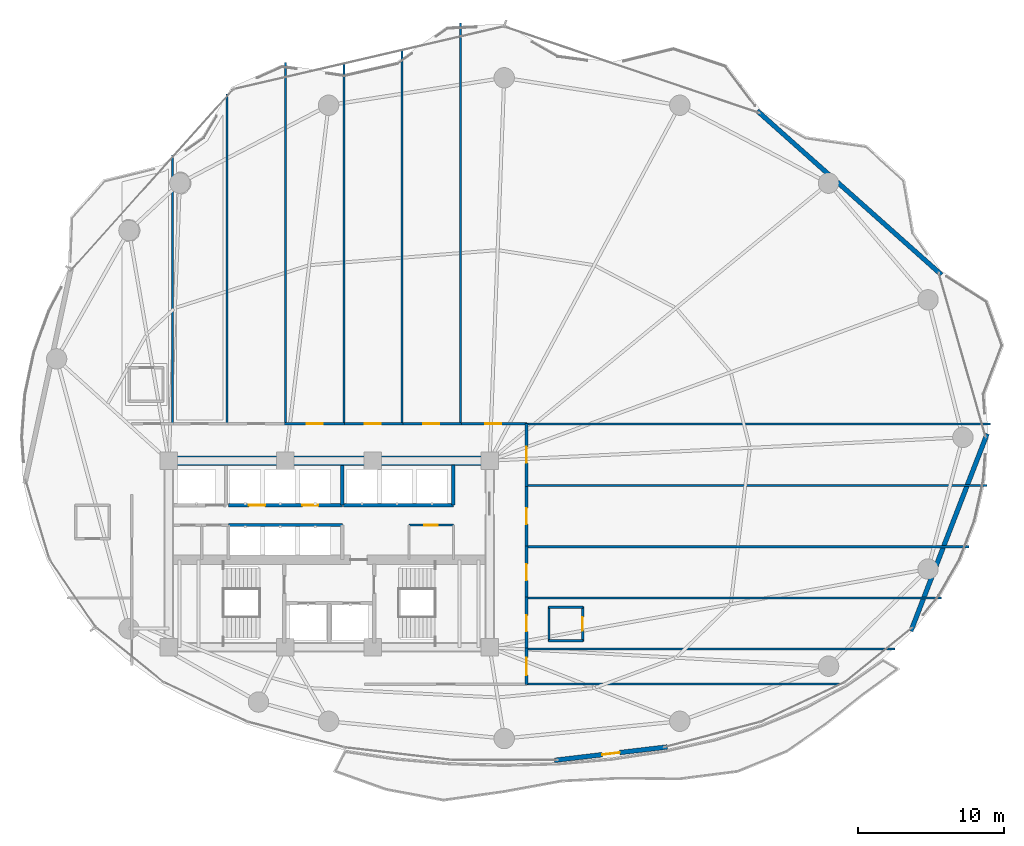
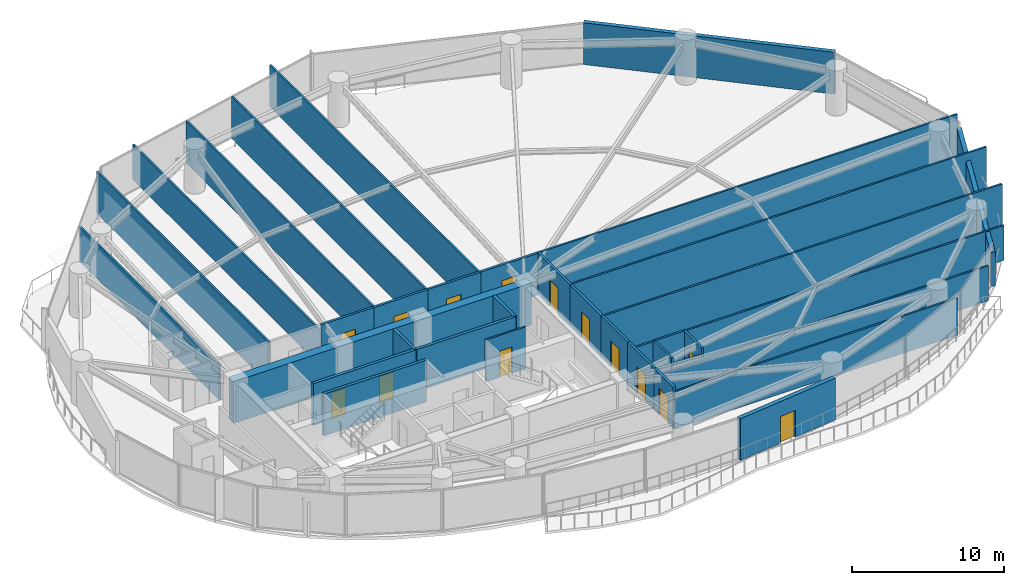
# One storey, part 27 of 31: 35 walls, 14 doors, 14 openings.
"""IFC4 building model written with IfcOpenShell, lengths in metres."""

from ifc_helpers import new_model, si_unit, direction, frame, frame_2d, origin, place, context, subcontext, project, spatial, rectangle, extrude, material, layer, layer_set, type_object, element, fill, save


model = new_model("IFC4")

# Units and contexts
model_context = context("Model", 3, precision=1e-05, world=origin(), true_north=direction((0.0, 1.0)))
body_context = subcontext(model_context, "Body", "Model", "MODEL_VIEW")
ifc_project = project(units=[si_unit("LENGTHUNIT", "METRE"), si_unit("AREAUNIT", "SQUARE_METRE"), si_unit("VOLUMEUNIT", "CUBIC_METRE"), si_unit("PLANEANGLEUNIT", "RADIAN"), si_unit("MASSUNIT", "GRAM", prefix="KILO")], contexts=[model_context])

# Site, building, storey
site_placement = place(None, origin())
site = spatial("IfcSite", under=ifc_project, at=site_placement, CompositionType="ELEMENT")
building_placement = place(site_placement, origin())
building = spatial("IfcBuilding", under=site, at=building_placement, Name="Kazevale Care Tower and Concert Hall", CompositionType="ELEMENT")
storey_placement = place(building_placement, frame((0.0, 0.0, 78.0)))
storey = spatial("IfcBuildingStorey", under=building, at=storey_placement, Name="L20", CompositionType="ELEMENT", Elevation=78.0)

# Wall, opening, door
ifc_material_1 = material(Name="Acoustic Gypsum on Steel Stud", Category="steel")
ifc_layer_1 = layer(ifc_material_1, 0.139892578125)
ifc_layer_set_1 = layer_set([ifc_layer_1], Name="Acoustic Gypsum on Steel Stud")
wall_type_1 = type_object("IfcWallType", Name="Acoustic Care & Suite Partition 140", PredefinedType="PARTITIONING", material=ifc_layer_set_1)
wall_1_placement = place(storey_placement, frame((38.47998046875, 31.97998046875, 0.0), z_axis=(0.0, 0.0, 1.0), x_axis=(1.0, 0.0, 0.0)))
wall_1 = element("IfcWall", 1, at=wall_1_placement, inside=storey, type_object=wall_type_1, Name="wall:L20:kb_en", PredefinedType="PARTITIONING", context=body_context, shape_type="SweptSolid", body=[
    extrude(rectangle(XDim=3.0400390625, YDim=0.139892578125, at=frame_2d((1.52001953125, 0.0))), origin(), (0.0, 0.0, 1.0), 3.360107421875),
])
opening_1_placement = place(wall_1_placement, frame((1.044921875, 0.0, 0.0)))
opening_1 = element("IfcOpeningElement", 2, at=opening_1_placement, cuts=wall_1, Name="Opening ID-900", PredefinedType="OPENING", context=body_context, shape_type="SweptSolid", body=[
    extrude(rectangle(XDim=0.919921875, YDim=2.10009765625, at=frame_2d((0.4599609375, 1.050048828125))), frame((0.0, 0.079833984375, 0.0), z_axis=(0.0, -1.0, 0.0), x_axis=(1.0, 0.0, 0.0)), (0.0, 0.0, 1.0), 0.159912109375),
])
ifc_material_2 = material(Name="Oak Timber Fire Leaf", Category="wood")
door_type_1 = type_object("IfcDoorType", Name="Bathroom & Service Door 920x2100", OperationType="NOTDEFINED", PredefinedType="DOOR", material=ifc_material_2)
door_1_placement = place(opening_1_placement, origin())
door_1 = element("IfcDoor", 3, at=door_1_placement, inside=storey, type_object=door_type_1, Name="door:L20:d_kbe", OperationType="SINGLE_SWING_LEFT", OverallHeight=2.10009765625, OverallWidth=0.919921875, PredefinedType="DOOR", context=body_context, shape_type="SweptSolid", body=[
    extrude(rectangle(XDim=0.919921875, YDim=2.10009765625, at=frame_2d((0.4599609375, 1.050048828125))), frame((0.0, 0.02490234375, 0.0), z_axis=(0.0, -1.0, 0.0), x_axis=(1.0, 0.0, 0.0)), (0.0, 0.0, 1.0), 0.050048828125),
])
fill(opening_1, door_1)

# Walls
wall_2_placement = place(storey_placement, frame((22.25, 57.343017578125, 0.0), z_axis=(0.0, 0.0, 1.0), x_axis=(0.0, -1.0, 0.0)))
element("IfcWall", 4, at=wall_2_placement, inside=storey, type_object=wall_type_1, Name="wall:L20:auto_016", PredefinedType="PARTITIONING", context=body_context, shape_type="SweptSolid", body=[
    extrude(rectangle(XDim=18.447998046875, YDim=0.139892578125, at=frame_2d((9.22412109375, 0.0))), origin(), (0.0, 0.0, 1.0), 2.805908203125),
])
wall_3_placement = place(storey_placement, frame((26.0, 61.529052734375, 0.0), z_axis=(0.0, 0.0, 1.0), x_axis=(0.0, -1.0, 0.0)))
element("IfcWall", 5, at=wall_3_placement, inside=storey, type_object=wall_type_1, Name="wall:L20:auto_017", PredefinedType="PARTITIONING", context=body_context, shape_type="SweptSolid", body=[
    extrude(rectangle(XDim=22.634033203125, YDim=0.139892578125, at=frame_2d((11.31689453125, 0.0))), origin(), (0.0, 0.0, 1.0), 3.360107421875),
])
wall_4_placement = place(storey_placement, frame((30.0, 63.7041015625, 0.0), z_axis=(0.0, 0.0, 1.0), x_axis=(0.0, -1.0, 0.0)))
element("IfcWall", 6, at=wall_4_placement, inside=storey, type_object=wall_type_1, Name="wall:L20:auto_018", PredefinedType="PARTITIONING", context=body_context, shape_type="SweptSolid", body=[
    extrude(rectangle(XDim=24.80908203125, YDim=0.139892578125, at=frame_2d((12.404541015625, 0.0))), origin(), (0.0, 0.0, 1.0), 2.805908203125),
])
wall_5_placement = place(storey_placement, frame((34.0, 63.61279296875, 0.0), z_axis=(0.0, 0.0, 1.0), x_axis=(0.0, -1.0, 0.0)))
element("IfcWall", 7, at=wall_5_placement, inside=storey, type_object=wall_type_1, Name="wall:L20:auto_019", PredefinedType="PARTITIONING", context=body_context, shape_type="SweptSolid", body=[
    extrude(rectangle(XDim=24.7177734375, YDim=0.139892578125, at=frame_2d((12.35888671875, 0.0))), origin(), (0.0, 0.0, 1.0), 3.360107421875),
])
wall_6_placement = place(storey_placement, frame((38.0, 64.5419921875, 0.0), z_axis=(0.0, 0.0, 1.0), x_axis=(0.0, -1.0, 0.0)))
element("IfcWall", 8, at=wall_6_placement, inside=storey, type_object=wall_type_1, Name="wall:L20:auto_020", PredefinedType="PARTITIONING", context=body_context, shape_type="SweptSolid", body=[
    extrude(rectangle(XDim=25.64697265625, YDim=0.139892578125, at=frame_2d((12.823486328125, 0.0))), origin(), (0.0, 0.0, 1.0), 3.360107421875),
])
wall_7_placement = place(storey_placement, frame((42.0, 66.4140625, 0.0), z_axis=(0.0, 0.0, 1.0), x_axis=(0.0, -1.0, 0.0)))
element("IfcWall", 9, at=wall_7_placement, inside=storey, type_object=wall_type_1, Name="wall:L20:auto_021", PredefinedType="PARTITIONING", context=body_context, shape_type="SweptSolid", body=[
    extrude(rectangle(XDim=27.51904296875, YDim=0.139892578125, at=frame_2d((13.759521484375, 0.0))), origin(), (0.0, 0.0, 1.0), 3.360107421875),
])
wall_8_placement = place(storey_placement, frame((78.333984375, 38.925048828125, 0.0), z_axis=(0.0, 0.0, 1.0), x_axis=(-1.0, 0.0, 0.0)))
element("IfcWall", 10, at=wall_8_placement, inside=storey, type_object=wall_type_1, Name="wall:L20:auto_022", PredefinedType="PARTITIONING", context=body_context, shape_type="SweptSolid", body=[
    extrude(rectangle(XDim=31.8740234375, YDim=0.139892578125, at=frame_2d((15.93701171875, 0.0))), origin(), (0.0, 0.0, 1.0), 3.360107421875),
])
wall_9_placement = place(storey_placement, frame((46.4951171875, 23.5, 0.0), z_axis=(0.0, 0.0, 1.0), x_axis=(1.0, 0.0, 0.0)))
element("IfcWall", 11, at=wall_9_placement, inside=storey, type_object=wall_type_1, Name="wall:L20:auto_023", PredefinedType="PARTITIONING", context=body_context, shape_type="SweptSolid", body=[
    extrude(rectangle(XDim=25.2998046875, YDim=0.139892578125, at=frame_2d((12.64990234375, 0.0))), origin(), (0.0, 0.0, 1.0), 2.805908203125),
])
wall_10_placement = place(storey_placement, frame((68.049072265625, 21.074951171875, 0.0), z_axis=(0.0, 0.0, 1.0), x_axis=(-1.0, 0.0, 0.0)))
element("IfcWall", 12, at=wall_10_placement, inside=storey, type_object=wall_type_1, Name="wall:L20:auto_024", PredefinedType="PARTITIONING", context=body_context, shape_type="SweptSolid", body=[
    extrude(rectangle(XDim=21.553955078125, YDim=0.139892578125, at=frame_2d((10.77685546875, 0.0))), origin(), (0.0, 0.0, 1.0), 2.99609375),
])
wall_11_placement = place(storey_placement, frame((46.4951171875, 27.0, 0.0), z_axis=(0.0, 0.0, 1.0), x_axis=(1.0, 0.0, 0.0)))
element("IfcWall", 13, at=wall_11_placement, inside=storey, type_object=wall_type_1, Name="wall:L20:auto_025", PredefinedType="PARTITIONING", context=body_context, shape_type="SweptSolid", body=[
    extrude(rectangle(XDim=28.498779296875, YDim=0.139892578125, at=frame_2d((14.24951171875, 0.0))), origin(), (0.0, 0.0, 1.0), 2.805908203125),
])
wall_12_placement = place(storey_placement, frame((46.4951171875, 30.5, 0.0), z_axis=(0.0, 0.0, 1.0), x_axis=(1.0, 0.0, 0.0)))
element("IfcWall", 14, at=wall_12_placement, inside=storey, type_object=wall_type_1, Name="wall:L20:auto_026", PredefinedType="PARTITIONING", context=body_context, shape_type="SweptSolid", body=[
    extrude(rectangle(XDim=30.390869140625, YDim=0.139892578125, at=frame_2d((15.1953125, 0.0))), origin(), (0.0, 0.0, 1.0), 3.360107421875),
])
wall_13_placement = place(storey_placement, frame((46.4951171875, 34.7099609375, 0.0), z_axis=(0.0, 0.0, 1.0), x_axis=(1.0, 0.0, 0.0)))
element("IfcWall", 15, at=wall_13_placement, inside=storey, type_object=wall_type_1, Name="wall:L20:auto_027", PredefinedType="PARTITIONING", context=body_context, shape_type="SweptSolid", body=[
    extrude(rectangle(XDim=31.61376953125, YDim=0.139892578125, at=frame_2d((15.806884765625, 0.0))), origin(), (0.0, 0.0, 1.0), 3.360107421875),
])
ifc_material_3 = material(Name="Concrete C70", Category="concrete")
ifc_layer_2 = layer(ifc_material_3, 0.64990234375)
ifc_layer_set_2 = layer_set([ifc_layer_2], Name="Concrete C70")
wall_type_2 = type_object("IfcWallType", Name="Core Shear Wall 650 C70", PredefinedType="SHEAR", material=ifc_layer_set_2)
wall_14_placement = place(storey_placement, frame((21.675048828125, 36.39990234375, 0.0), z_axis=(0.0, 0.0, 1.0), x_axis=(1.0, 0.0, 0.0)))
element("IfcWall", 16, at=wall_14_placement, inside=storey, type_object=wall_type_2, Name="wall:L20:core:N", PredefinedType="SHEAR", context=body_context, shape_type="SweptSolid", body=[
    extrude(rectangle(XDim=22.64990234375, YDim=0.64990234375, at=frame_2d((11.324951171875, 0.0))), origin(), (0.0, 0.0, 1.0), 3.360107421875),
])
ifc_material_4 = material(Name="Concrete C40", Category="concrete")
ifc_layer_3 = layer(ifc_material_4, 0.219970703125)
ifc_layer_set_3 = layer_set([ifc_layer_3], Name="Concrete C40")
wall_type_3 = type_object("IfcWallType", Name="Elevator Hoistway Shaft Wall 220", PredefinedType="SOLIDWALL", material=ifc_layer_set_3)
wall_15_placement = place(storey_placement, frame((26.10009765625, 31.97998046875, 0.0), z_axis=(0.0, 0.0, 1.0), x_axis=(1.0, 0.0, 0.0)))
element("IfcWall", 17, at=wall_15_placement, inside=storey, type_object=wall_type_3, Name="wall:L20:c_ph_n", PredefinedType="SOLIDWALL", context=body_context, shape_type="SweptSolid", body=[
    extrude(rectangle(XDim=7.7998046875, YDim=0.219970703125, at=frame_2d((3.89990234375, 0.0))), origin(), (0.0, 0.0, 1.0), 3.360107421875),
])

# Wall, openings, doors
wall_16_placement = place(storey_placement, frame((26.10009765625, 33.35009765625, 0.0), z_axis=(0.0, 0.0, 1.0), x_axis=(1.0, 0.0, 0.0)))
wall_16 = element("IfcWall", 18, at=wall_16_placement, inside=storey, type_object=wall_type_3, Name="wall:L20:c_pl_s", PredefinedType="SOLIDWALL", context=body_context, shape_type="SweptSolid", body=[
    extrude(rectangle(XDim=7.7998046875, YDim=0.219970703125, at=frame_2d((3.89990234375, 0.0))), origin(), (0.0, 0.0, 1.0), 3.360107421875),
])
opening_2_placement = place(wall_16_placement, frame((1.39990234375, 0.0, 0.0)))
opening_2 = element("IfcOpeningElement", 19, at=opening_2_placement, cuts=wall_16, Name="Opening LD-PAX", PredefinedType="OPENING", context=body_context, shape_type="SweptSolid", body=[
    extrude(rectangle(XDim=1.10009765625, YDim=2.10009765625, at=frame_2d((0.550048828125, 1.050048828125))), frame((0.0, 0.119873046875, 0.0), z_axis=(0.0, -1.0, 0.0), x_axis=(1.0, 0.0, 0.0)), (0.0, 0.0, 1.0), 0.239990234375),
])
opening_3_placement = place(wall_16_placement, frame((5.06591796875, 0.0, 0.0)))
opening_3 = element("IfcOpeningElement", 20, at=opening_3_placement, cuts=wall_16, Name="Opening LD-PAX", PredefinedType="OPENING", context=body_context, shape_type="SweptSolid", body=[
    extrude(rectangle(XDim=1.10009765625, YDim=2.10009765625, at=frame_2d((0.550048828125, 1.050048828125))), frame((0.0, 0.119873046875, 0.0), z_axis=(0.0, -1.0, 0.0), x_axis=(1.0, 0.0, 0.0)), (0.0, 0.0, 1.0), 0.239990234375),
])
ifc_material_5 = material(Name="Stainless Steel 316", Category="steel")
door_type_2 = type_object("IfcDoorType", Name="Passenger Lift Sliding Landing Door 1100x2100", OperationType="NOTDEFINED", PredefinedType="DOOR", material=ifc_material_5)
door_2_placement = place(opening_2_placement, origin())
door_2 = element("IfcDoor", 21, at=door_2_placement, inside=storey, type_object=door_type_2, Name="door:L20:ld_pl1", OperationType="SLIDING_TO_LEFT", OverallHeight=2.10009765625, OverallWidth=1.10009765625, PredefinedType="DOOR", context=body_context, shape_type="SweptSolid", body=[
    extrude(rectangle(XDim=1.10009765625, YDim=2.10009765625, at=frame_2d((0.550048828125, 1.050048828125))), frame((0.0, 0.02490234375, 0.0), z_axis=(0.0, -1.0, 0.0), x_axis=(1.0, 0.0, 0.0)), (0.0, 0.0, 1.0), 0.050048828125),
])
fill(opening_2, door_2)
door_3_placement = place(opening_3_placement, origin())
door_3 = element("IfcDoor", 22, at=door_3_placement, inside=storey, type_object=door_type_2, Name="door:L20:ld_pl2", OperationType="SLIDING_TO_RIGHT", OverallHeight=2.10009765625, OverallWidth=1.10009765625, PredefinedType="DOOR", context=body_context, shape_type="SweptSolid", body=[
    extrude(rectangle(XDim=1.10009765625, YDim=2.10009765625, at=frame_2d((0.550048828125, 1.050048828125))), frame((0.0, 0.02490234375, 0.0), z_axis=(0.0, -1.0, 0.0), x_axis=(1.0, 0.0, 0.0)), (0.0, 0.0, 1.0), 0.050048828125),
])
fill(opening_3, door_3)

# Walls
wall_17_placement = place(storey_placement, frame((33.89990234375, 33.35009765625, 0.0), z_axis=(0.0, 0.0, 1.0), x_axis=(0.0, 1.0, 0.0)))
element("IfcWall", 23, at=wall_17_placement, inside=storey, type_object=wall_type_3, Name="wall:L20:c_pl_e", PredefinedType="SOLIDWALL", context=body_context, shape_type="SweptSolid", body=[
    extrude(rectangle(XDim=2.72998046875, YDim=0.219970703125, at=frame_2d((1.364990234375, 0.0))), origin(), (0.0, 0.0, 1.0), 3.360107421875),
])
wall_18_placement = place(storey_placement, frame((33.97998046875, 33.35009765625, 0.0), z_axis=(0.0, 0.0, 1.0), x_axis=(1.0, 0.0, 0.0)))
element("IfcWall", 24, at=wall_18_placement, inside=storey, type_object=wall_type_3, Name="wall:L20:c_pm_s", PredefinedType="SOLIDWALL", context=body_context, shape_type="SweptSolid", body=[
    extrude(rectangle(XDim=7.5400390625, YDim=0.219970703125, at=frame_2d((3.77001953125, 0.0))), origin(), (0.0, 0.0, 1.0), 3.360107421875),
])
wall_19_placement = place(storey_placement, frame((41.5, 33.35009765625, 0.0), z_axis=(0.0, 0.0, 1.0), x_axis=(0.0, 1.0, 0.0)))
element("IfcWall", 25, at=wall_19_placement, inside=storey, type_object=wall_type_3, Name="wall:L20:c_pm_e", PredefinedType="SOLIDWALL", context=body_context, shape_type="SweptSolid", body=[
    extrude(rectangle(XDim=2.75, YDim=0.219970703125, at=frame_2d((1.375, 0.0))), origin(), (0.0, 0.0, 1.0), 3.360107421875),
])

# Wall, opening, door
ifc_material_6 = material(Name="Concrete C40 and Acoustic Gypsum", Category="concrete")
ifc_layer_4 = layer(ifc_material_6, 0.179931640625)
ifc_layer_set_4 = layer_set([ifc_layer_4], Name="Concrete C40 and Acoustic Gypsum")
wall_type_4 = type_object("IfcWallType", Name="Fire-Rated Corridor & Party Wall 180", PredefinedType="PARTITIONING", material=ifc_layer_set_4)
wall_20_placement = place(storey_placement, frame((29.93505859375, 38.925048828125, 0.0), z_axis=(0.0, 0.0, 1.0), x_axis=(1.0, 0.0, 0.0)))
wall_20 = element("IfcWall", 26, at=wall_20_placement, inside=storey, type_object=wall_type_4, Name="wall:L20:auto_004", PredefinedType="PARTITIONING", context=body_context, shape_type="SweptSolid", body=[
    extrude(rectangle(XDim=4.1298828125, YDim=0.179931640625, at=frame_2d((2.06494140625, 0.0))), origin(), (0.0, 0.0, 1.0), 3.360107421875),
])
opening_4_placement = place(wall_20_placement, frame((1.514892578125, 0.0, 0.0)))
opening_4 = element("IfcOpeningElement", 27, at=opening_4_placement, cuts=wall_20, Name="Opening ID-1100", PredefinedType="OPENING", context=body_context, shape_type="SweptSolid", body=[
    extrude(rectangle(XDim=1.10009765625, YDim=2.10009765625, at=frame_2d((0.550048828125, 1.050048828125))), frame((0.0, 0.099853515625, 0.0), z_axis=(0.0, -1.0, 0.0), x_axis=(1.0, 0.0, 0.0)), (0.0, 0.0, 1.0), 0.199951171875),
])
door_type_3 = type_object("IfcDoorType", Name="Care Bedroom Accessible Door 1100x2100", OperationType="NOTDEFINED", PredefinedType="DOOR", material=ifc_material_2)
door_4_placement = place(opening_4_placement, origin())
door_4 = element("IfcDoor", 28, at=door_4_placement, inside=storey, type_object=door_type_3, Name="door:L20:ad_004", OperationType="SINGLE_SWING_LEFT", OverallHeight=2.10009765625, OverallWidth=1.10009765625, PredefinedType="DOOR", context=body_context, shape_type="SweptSolid", body=[
    extrude(rectangle(XDim=1.10009765625, YDim=2.10009765625, at=frame_2d((0.550048828125, 1.050048828125))), frame((0.0, 0.02490234375, 0.0), z_axis=(0.0, -1.0, 0.0), x_axis=(1.0, 0.0, 0.0)), (0.0, 0.0, 1.0), 0.050048828125),
])
fill(opening_4, door_4)

wall_21_placement = place(storey_placement, frame((33.93505859375, 38.925048828125, 0.0), z_axis=(0.0, 0.0, 1.0), x_axis=(1.0, 0.0, 0.0)))
wall_21 = element("IfcWall", 29, at=wall_21_placement, inside=storey, type_object=wall_type_4, Name="wall:L20:auto_005", PredefinedType="PARTITIONING", context=body_context, shape_type="SweptSolid", body=[
    extrude(rectangle(XDim=4.1298828125, YDim=0.179931640625, at=frame_2d((2.06494140625, 0.0))), origin(), (0.0, 0.0, 1.0), 3.360107421875),
])
opening_5_placement = place(wall_21_placement, frame((1.514892578125, 0.0, 0.0)))
opening_5 = element("IfcOpeningElement", 30, at=opening_5_placement, cuts=wall_21, Name="Opening ID-1100", PredefinedType="OPENING", context=body_context, shape_type="SweptSolid", body=[
    extrude(rectangle(XDim=1.10009765625, YDim=2.10009765625, at=frame_2d((0.550048828125, 1.050048828125))), frame((0.0, 0.099853515625, 0.0), z_axis=(0.0, -1.0, 0.0), x_axis=(1.0, 0.0, 0.0)), (0.0, 0.0, 1.0), 0.199951171875),
])
door_5_placement = place(opening_5_placement, origin())
door_5 = element("IfcDoor", 31, at=door_5_placement, inside=storey, type_object=door_type_3, Name="door:L20:ad_005", OperationType="SINGLE_SWING_LEFT", OverallHeight=2.10009765625, OverallWidth=1.10009765625, PredefinedType="DOOR", context=body_context, shape_type="SweptSolid", body=[
    extrude(rectangle(XDim=1.10009765625, YDim=2.10009765625, at=frame_2d((0.550048828125, 1.050048828125))), frame((0.0, 0.02490234375, 0.0), z_axis=(0.0, -1.0, 0.0), x_axis=(1.0, 0.0, 0.0)), (0.0, 0.0, 1.0), 0.050048828125),
])
fill(opening_5, door_5)

wall_22_placement = place(storey_placement, frame((37.93505859375, 38.925048828125, 0.0), z_axis=(0.0, 0.0, 1.0), x_axis=(1.0, 0.0, 0.0)))
wall_22 = element("IfcWall", 32, at=wall_22_placement, inside=storey, type_object=wall_type_4, Name="wall:L20:auto_006", PredefinedType="PARTITIONING", context=body_context, shape_type="SweptSolid", body=[
    extrude(rectangle(XDim=4.1298828125, YDim=0.179931640625, at=frame_2d((2.06494140625, 0.0))), origin(), (0.0, 0.0, 1.0), 3.360107421875),
])
opening_6_placement = place(wall_22_placement, frame((1.514892578125, 0.0, 0.0)))
opening_6 = element("IfcOpeningElement", 33, at=opening_6_placement, cuts=wall_22, Name="Opening ID-1100", PredefinedType="OPENING", context=body_context, shape_type="SweptSolid", body=[
    extrude(rectangle(XDim=1.10009765625, YDim=2.10009765625, at=frame_2d((0.550048828125, 1.050048828125))), frame((0.0, 0.099853515625, 0.0), z_axis=(0.0, -1.0, 0.0), x_axis=(1.0, 0.0, 0.0)), (0.0, 0.0, 1.0), 0.199951171875),
])
door_6_placement = place(opening_6_placement, origin())
door_6 = element("IfcDoor", 34, at=door_6_placement, inside=storey, type_object=door_type_3, Name="door:L20:ad_006", OperationType="SINGLE_SWING_LEFT", OverallHeight=2.10009765625, OverallWidth=1.10009765625, PredefinedType="DOOR", context=body_context, shape_type="SweptSolid", body=[
    extrude(rectangle(XDim=1.10009765625, YDim=2.10009765625, at=frame_2d((0.550048828125, 1.050048828125))), frame((0.0, 0.02490234375, 0.0), z_axis=(0.0, -1.0, 0.0), x_axis=(1.0, 0.0, 0.0)), (0.0, 0.0, 1.0), 0.050048828125),
])
fill(opening_6, door_6)

wall_23_placement = place(storey_placement, frame((41.93505859375, 38.925048828125, 0.0), z_axis=(0.0, 0.0, 1.0), x_axis=(1.0, 0.0, 0.0)))
wall_23 = element("IfcWall", 35, at=wall_23_placement, inside=storey, type_object=wall_type_4, Name="wall:L20:auto_007", PredefinedType="PARTITIONING", context=body_context, shape_type="SweptSolid", body=[
    extrude(rectangle(XDim=4.619873046875, YDim=0.179931640625, at=frame_2d((2.31005859375, 0.0))), origin(), (0.0, 0.0, 1.0), 3.360107421875),
])
opening_7_placement = place(wall_23_placement, frame((1.760009765625, 0.0, 0.0)))
opening_7 = element("IfcOpeningElement", 36, at=opening_7_placement, cuts=wall_23, Name="Opening ID-1100", PredefinedType="OPENING", context=body_context, shape_type="SweptSolid", body=[
    extrude(rectangle(XDim=1.10009765625, YDim=2.10009765625, at=frame_2d((0.550048828125, 1.050048828125))), frame((0.0, 0.099853515625, 0.0), z_axis=(0.0, -1.0, 0.0), x_axis=(1.0, 0.0, 0.0)), (0.0, 0.0, 1.0), 0.199951171875),
])
door_7_placement = place(opening_7_placement, origin())
door_7 = element("IfcDoor", 37, at=door_7_placement, inside=storey, type_object=door_type_3, Name="door:L20:ad_007", OperationType="SINGLE_SWING_LEFT", OverallHeight=2.10009765625, OverallWidth=1.10009765625, PredefinedType="DOOR", context=body_context, shape_type="SweptSolid", body=[
    extrude(rectangle(XDim=1.10009765625, YDim=2.10009765625, at=frame_2d((0.550048828125, 1.050048828125))), frame((0.0, 0.02490234375, 0.0), z_axis=(0.0, -1.0, 0.0), x_axis=(1.0, 0.0, 0.0)), (0.0, 0.0, 1.0), 0.050048828125),
])
fill(opening_7, door_7)

wall_24_placement = place(storey_placement, frame((46.52490234375, 23.56494140625, 0.0), z_axis=(0.0, 0.0, 1.0), x_axis=(0.0, -1.0, 0.0)))
wall_24 = element("IfcWall", 38, at=wall_24_placement, inside=storey, type_object=wall_type_4, Name="wall:L20:auto_008", PredefinedType="PARTITIONING", context=body_context, shape_type="SweptSolid", body=[
    extrude(rectangle(XDim=2.52001953125, YDim=0.179931640625, at=frame_2d((1.260009765625, 0.0))), origin(), (0.0, 0.0, 1.0), 3.360107421875),
])
opening_8_placement = place(wall_24_placement, frame((0.659912109375, 0.0, 0.0)))
opening_8 = element("IfcOpeningElement", 39, at=opening_8_placement, cuts=wall_24, Name="Opening ID-1200", PredefinedType="OPENING", context=body_context, shape_type="SweptSolid", body=[
    extrude(rectangle(XDim=1.199951171875, YDim=2.14990234375, at=frame_2d((0.60009765625, 1.074951171875))), frame((0.0, 0.099853515625, 0.0), z_axis=(0.0, -1.0, 0.0), x_axis=(1.0, 0.0, 0.0)), (0.0, 0.0, 1.0), 0.199951171875),
])
door_type_4 = type_object("IfcDoorType", Name="Clinical & Therapy Door 1200x2150", OperationType="NOTDEFINED", PredefinedType="DOOR", material=ifc_material_2)
door_8_placement = place(opening_8_placement, origin())
door_8 = element("IfcDoor", 40, at=door_8_placement, inside=storey, type_object=door_type_4, Name="door:L20:ad_008", OperationType="SINGLE_SWING_LEFT", OverallHeight=2.14990234375, OverallWidth=1.199951171875, PredefinedType="DOOR", context=body_context, shape_type="SweptSolid", body=[
    extrude(rectangle(XDim=1.199951171875, YDim=2.14990234375, at=frame_2d((0.60009765625, 1.074951171875))), frame((0.0, 0.02490234375, 0.0), z_axis=(0.0, -1.0, 0.0), x_axis=(1.0, 0.0, 0.0)), (0.0, 0.0, 1.0), 0.050048828125),
])
fill(opening_8, door_8)

wall_25_placement = place(storey_placement, frame((46.52490234375, 27.06494140625, 0.0), z_axis=(0.0, 0.0, 1.0), x_axis=(0.0, -1.0, 0.0)))
wall_25 = element("IfcWall", 41, at=wall_25_placement, inside=storey, type_object=wall_type_4, Name="wall:L20:auto_009", PredefinedType="PARTITIONING", context=body_context, shape_type="SweptSolid", body=[
    extrude(rectangle(XDim=3.6298828125, YDim=0.179931640625, at=frame_2d((1.81494140625, 0.0))), origin(), (0.0, 0.0, 1.0), 3.360107421875),
])
opening_9_placement = place(wall_25_placement, frame((1.264892578125, 0.0, 0.0)))
opening_9 = element("IfcOpeningElement", 42, at=opening_9_placement, cuts=wall_25, Name="Opening ID-1100", PredefinedType="OPENING", context=body_context, shape_type="SweptSolid", body=[
    extrude(rectangle(XDim=1.10009765625, YDim=2.10009765625, at=frame_2d((0.550048828125, 1.050048828125))), frame((0.0, 0.099853515625, 0.0), z_axis=(0.0, -1.0, 0.0), x_axis=(1.0, 0.0, 0.0)), (0.0, 0.0, 1.0), 0.199951171875),
])
door_9_placement = place(opening_9_placement, origin())
door_9 = element("IfcDoor", 43, at=door_9_placement, inside=storey, type_object=door_type_3, Name="door:L20:ad_009", OperationType="SINGLE_SWING_LEFT", OverallHeight=2.10009765625, OverallWidth=1.10009765625, PredefinedType="DOOR", context=body_context, shape_type="SweptSolid", body=[
    extrude(rectangle(XDim=1.10009765625, YDim=2.10009765625, at=frame_2d((0.550048828125, 1.050048828125))), frame((0.0, 0.02490234375, 0.0), z_axis=(0.0, -1.0, 0.0), x_axis=(1.0, 0.0, 0.0)), (0.0, 0.0, 1.0), 0.050048828125),
])
fill(opening_9, door_9)

wall_26_placement = place(storey_placement, frame((46.52490234375, 30.56494140625, 0.0), z_axis=(0.0, 0.0, 1.0), x_axis=(0.0, -1.0, 0.0)))
wall_26 = element("IfcWall", 44, at=wall_26_placement, inside=storey, type_object=wall_type_4, Name="wall:L20:auto_010", PredefinedType="PARTITIONING", context=body_context, shape_type="SweptSolid", body=[
    extrude(rectangle(XDim=3.6298828125, YDim=0.179931640625, at=frame_2d((1.81494140625, 0.0))), origin(), (0.0, 0.0, 1.0), 3.360107421875),
])
opening_10_placement = place(wall_26_placement, frame((1.264892578125, 0.0, 0.0)))
opening_10 = element("IfcOpeningElement", 45, at=opening_10_placement, cuts=wall_26, Name="Opening ID-1100", PredefinedType="OPENING", context=body_context, shape_type="SweptSolid", body=[
    extrude(rectangle(XDim=1.10009765625, YDim=2.10009765625, at=frame_2d((0.550048828125, 1.050048828125))), frame((0.0, 0.099853515625, 0.0), z_axis=(0.0, -1.0, 0.0), x_axis=(1.0, 0.0, 0.0)), (0.0, 0.0, 1.0), 0.199951171875),
])
door_10_placement = place(opening_10_placement, origin())
door_10 = element("IfcDoor", 46, at=door_10_placement, inside=storey, type_object=door_type_3, Name="door:L20:ad_010", OperationType="SINGLE_SWING_LEFT", OverallHeight=2.10009765625, OverallWidth=1.10009765625, PredefinedType="DOOR", context=body_context, shape_type="SweptSolid", body=[
    extrude(rectangle(XDim=1.10009765625, YDim=2.10009765625, at=frame_2d((0.550048828125, 1.050048828125))), frame((0.0, 0.02490234375, 0.0), z_axis=(0.0, -1.0, 0.0), x_axis=(1.0, 0.0, 0.0)), (0.0, 0.0, 1.0), 0.050048828125),
])
fill(opening_10, door_10)

wall_27_placement = place(storey_placement, frame((46.52490234375, 34.77490234375, 0.0), z_axis=(0.0, 0.0, 1.0), x_axis=(0.0, -1.0, 0.0)))
wall_27 = element("IfcWall", 47, at=wall_27_placement, inside=storey, type_object=wall_type_4, Name="wall:L20:auto_011", PredefinedType="PARTITIONING", context=body_context, shape_type="SweptSolid", body=[
    extrude(rectangle(XDim=4.33984375, YDim=0.179931640625, at=frame_2d((2.169921875, 0.0))), origin(), (0.0, 0.0, 1.0), 3.360107421875),
])
opening_11_placement = place(wall_27_placement, frame((1.6201171875, 0.0, 0.0)))
opening_11 = element("IfcOpeningElement", 48, at=opening_11_placement, cuts=wall_27, Name="Opening ID-1100", PredefinedType="OPENING", context=body_context, shape_type="SweptSolid", body=[
    extrude(rectangle(XDim=1.10009765625, YDim=2.10009765625, at=frame_2d((0.550048828125, 1.050048828125))), frame((0.0, 0.099853515625, 0.0), z_axis=(0.0, -1.0, 0.0), x_axis=(1.0, 0.0, 0.0)), (0.0, 0.0, 1.0), 0.199951171875),
])
door_11_placement = place(opening_11_placement, origin())
door_11 = element("IfcDoor", 49, at=door_11_placement, inside=storey, type_object=door_type_3, Name="door:L20:ad_011", OperationType="SINGLE_SWING_LEFT", OverallHeight=2.10009765625, OverallWidth=1.10009765625, PredefinedType="DOOR", context=body_context, shape_type="SweptSolid", body=[
    extrude(rectangle(XDim=1.10009765625, YDim=2.10009765625, at=frame_2d((0.550048828125, 1.050048828125))), frame((0.0, 0.02490234375, 0.0), z_axis=(0.0, -1.0, 0.0), x_axis=(1.0, 0.0, 0.0)), (0.0, 0.0, 1.0), 0.050048828125),
])
fill(opening_11, door_11)

wall_28_placement = place(storey_placement, frame((46.52490234375, 38.955078125, 0.0), z_axis=(0.0, 0.0, 1.0), x_axis=(0.0, -1.0, 0.0)))
wall_28 = element("IfcWall", 50, at=wall_28_placement, inside=storey, type_object=wall_type_4, Name="wall:L20:auto_012", PredefinedType="PARTITIONING", context=body_context, shape_type="SweptSolid", body=[
    extrude(rectangle(XDim=4.31005859375, YDim=0.179931640625, at=frame_2d((2.155029296875, 0.0))), origin(), (0.0, 0.0, 1.0), 3.360107421875),
])
opening_12_placement = place(wall_28_placement, frame((1.60498046875, 0.0, 0.0)))
opening_12 = element("IfcOpeningElement", 51, at=opening_12_placement, cuts=wall_28, Name="Opening ID-1100", PredefinedType="OPENING", context=body_context, shape_type="SweptSolid", body=[
    extrude(rectangle(XDim=1.10009765625, YDim=2.10009765625, at=frame_2d((0.550048828125, 1.050048828125))), frame((0.0, 0.099853515625, 0.0), z_axis=(0.0, -1.0, 0.0), x_axis=(1.0, 0.0, 0.0)), (0.0, 0.0, 1.0), 0.199951171875),
])
door_12_placement = place(opening_12_placement, origin())
door_12 = element("IfcDoor", 52, at=door_12_placement, inside=storey, type_object=door_type_3, Name="door:L20:ad_012", OperationType="SINGLE_SWING_LEFT", OverallHeight=2.10009765625, OverallWidth=1.10009765625, PredefinedType="DOOR", context=body_context, shape_type="SweptSolid", body=[
    extrude(rectangle(XDim=1.10009765625, YDim=2.10009765625, at=frame_2d((0.550048828125, 1.050048828125))), frame((0.0, 0.02490234375, 0.0), z_axis=(0.0, -1.0, 0.0), x_axis=(1.0, 0.0, 0.0)), (0.0, 0.0, 1.0), 0.050048828125),
])
fill(opening_12, door_12)

# Walls
ifc_layer_5 = layer(ifc_material_1, 0.159912109375)
ifc_layer_set_5 = layer_set([ifc_layer_5], Name="Acoustic Gypsum on Steel Stud")
wall_type_5 = type_object("IfcWallType", Name="Moisture-Resistant Bathroom Plumbing Wall 160", PredefinedType="PLUMBINGWALL", material=ifc_layer_set_5)
wall_29_placement = place(storey_placement, frame((48.034912109375, 24.050048828125, 0.0), z_axis=(0.0, 0.0, 1.0), x_axis=(1.0, 0.0, 0.0)))
element("IfcWall", 53, at=wall_29_placement, inside=storey, type_object=wall_type_5, Name="wall:L20:eb2a_ens_ws", PredefinedType="PLUMBINGWALL", context=body_context, shape_type="SweptSolid", body=[
    extrude(rectangle(XDim=2.380126953125, YDim=0.159912109375, at=frame_2d((1.18994140625, 0.0))), origin(), (0.0, 0.0, 1.0), 2.805908203125),
])
wall_30_placement = place(storey_placement, frame((48.034912109375, 26.35009765625, 0.0), z_axis=(0.0, 0.0, 1.0), x_axis=(1.0, 0.0, 0.0)))
element("IfcWall", 54, at=wall_30_placement, inside=storey, type_object=wall_type_5, Name="wall:L20:eb2a_ens_wn", PredefinedType="PLUMBINGWALL", context=body_context, shape_type="SweptSolid", body=[
    extrude(rectangle(XDim=2.380126953125, YDim=0.159912109375, at=frame_2d((1.18994140625, 0.0))), origin(), (0.0, 0.0, 1.0), 3.360107421875),
])
wall_31_placement = place(storey_placement, frame((48.074951171875, 24.010009765625, 0.0), z_axis=(0.0, 0.0, 1.0), x_axis=(0.0, 1.0, 0.0)))
element("IfcWall", 55, at=wall_31_placement, inside=storey, type_object=wall_type_5, Name="wall:L20:eb2a_ens_ww", PredefinedType="PLUMBINGWALL", context=body_context, shape_type="SweptSolid", body=[
    extrude(rectangle(XDim=2.3798828125, YDim=0.159912109375, at=frame_2d((1.18994140625, 0.0))), origin(), (0.0, 0.0, 1.0), 3.360107421875),
])

# Wall, opening, door
wall_32_placement = place(storey_placement, frame((50.375, 24.010009765625, 0.0), z_axis=(0.0, 0.0, 1.0), x_axis=(0.0, 1.0, 0.0)))
wall_32 = element("IfcWall", 56, at=wall_32_placement, inside=storey, type_object=wall_type_5, Name="wall:L20:eb2a_ens_we", PredefinedType="PLUMBINGWALL", context=body_context, shape_type="SweptSolid", body=[
    extrude(rectangle(XDim=2.3798828125, YDim=0.159912109375, at=frame_2d((1.18994140625, 0.0))), origin(), (0.0, 0.0, 1.0), 3.360107421875),
])
opening_13_placement = place(wall_32_placement, frame((0.739990234375, 0.0, 0.0)))
opening_13 = element("IfcOpeningElement", 57, at=opening_13_placement, cuts=wall_32, Name="Opening ID-900", PredefinedType="OPENING", context=body_context, shape_type="SweptSolid", body=[
    extrude(rectangle(XDim=0.919921875, YDim=2.10009765625, at=frame_2d((0.4599609375, 1.050048828125))), frame((0.0, 0.08984375, 0.0), z_axis=(0.0, -1.0, 0.0), x_axis=(1.0, 0.0, 0.0)), (0.0, 0.0, 1.0), 0.179931640625),
])
door_13_placement = place(opening_13_placement, origin())
door_13 = element("IfcDoor", 58, at=door_13_placement, inside=storey, type_object=door_type_1, Name="door:L20:eb2a_ens_d", OperationType="SINGLE_SWING_RIGHT", OverallHeight=2.10009765625, OverallWidth=0.919921875, PredefinedType="DOOR", context=body_context, shape_type="SweptSolid", body=[
    extrude(rectangle(XDim=0.919921875, YDim=2.10009765625, at=frame_2d((0.4599609375, 1.050048828125))), frame((0.0, 0.02490234375, 0.0), z_axis=(0.0, -1.0, 0.0), x_axis=(1.0, 0.0, 0.0)), (0.0, 0.0, 1.0), 0.050048828125),
])
fill(opening_13, door_13)

# Wall
ifc_material_7 = material(Name="Concrete C40 with Honed Limestone Cladding", Category="masonry")
ifc_layer_6 = layer(ifc_material_7, 0.320068359375)
ifc_layer_set_6 = layer_set([ifc_layer_6], Name="Concrete C40 with Honed Limestone Cladding")
wall_type_6 = type_object("IfcWallType", Name="Tower Honed Limestone Spandrel Wall 320", PredefinedType="STANDARD", material=ifc_layer_set_6)
wall_33_placement = place(storey_placement, frame((78.114013671875, 38.242919921875, 0.0), z_axis=(0.0, 0.0, 1.0), x_axis=(-0.360517110943, -0.932752599952, 0.0)))
element("IfcWall", 59, at=wall_33_placement, inside=storey, type_object=wall_type_6, Name="wall:cw:L20:f01", PredefinedType="STANDARD", context=body_context, shape_type="SweptSolid", body=[
    extrude(rectangle(XDim=14.504150390625, YDim=0.320068359375, at=frame_2d((7.251953125, 0.0))), origin(), (0.0, 0.0, 1.0), 2.738037109375),
])

# Wall, opening, door
wall_34_placement = place(storey_placement, frame((56.18994140625, 16.77197265625, 0.0), z_axis=(0.0, 0.0, 1.0), x_axis=(-0.993056646691, -0.117637138959, 0.0)))
wall_34 = element("IfcWall", 60, at=wall_34_placement, inside=storey, type_object=wall_type_6, Name="wall:L20:bal_host", PredefinedType="STANDARD", context=body_context, shape_type="SweptSolid", body=[
    extrude(rectangle(XDim=7.795166015625, YDim=0.320068359375, at=frame_2d((3.8974609375, 0.0))), origin(), (0.0, 0.0, 1.0), 3.360107421875),
])
opening_14_placement = place(wall_34_placement, frame((3.298095703125, 0.0, 0.0)))
opening_14 = element("IfcOpeningElement", 61, at=opening_14_placement, cuts=wall_34, Name="Opening BD-1200", PredefinedType="OPENING", context=body_context, shape_type="SweptSolid", body=[
    extrude(rectangle(XDim=1.199951171875, YDim=2.14990234375, at=frame_2d((0.60009765625, 1.074951171875))), frame((0.0, 0.169921875, 0.0), z_axis=(0.0, -1.0, 0.0), x_axis=(1.0, 0.0, 0.0)), (0.0, 0.0, 1.0), 0.340087890625),
])
ifc_material_8 = material(Name="Aluminium 6063-T6 and Low-E Glass", Category="aluminium")
door_type_5 = type_object("IfcDoorType", Name="Sheltered Balcony Glazed Door 1200x2150", OperationType="NOTDEFINED", PredefinedType="DOOR", material=ifc_material_8)
door_14_placement = place(opening_14_placement, origin())
door_14 = element("IfcDoor", 62, at=door_14_placement, inside=storey, type_object=door_type_5, Name="door:L20:BD-1", OperationType="SINGLE_SWING_LEFT", OverallHeight=2.14990234375, OverallWidth=1.199951171875, PredefinedType="DOOR", context=body_context, shape_type="SweptSolid", body=[
    extrude(rectangle(XDim=1.199951171875, YDim=2.14990234375, at=frame_2d((0.60009765625, 1.074951171875))), frame((0.0, 0.02490234375, 0.0), z_axis=(0.0, -1.0, 0.0), x_axis=(1.0, 0.0, 0.0)), (0.0, 0.0, 1.0), 0.050048828125),
])
fill(opening_14, door_14)

# Wall
wall_35_placement = place(storey_placement, frame((62.347900390625, 60.387939453125, 0.0), z_axis=(0.0, 0.0, 1.0), x_axis=(0.747075414442, -0.664739291104, 0.0)))
element("IfcWall", 63, at=wall_35_placement, inside=storey, type_object=wall_type_6, Name="wall:cw:L20:f17", PredefinedType="STANDARD", context=body_context, shape_type="SweptSolid", body=[
    extrude(rectangle(XDim=16.907470703125, YDim=0.320068359375, at=frame_2d((8.45361328125, 0.0))), origin(), (0.0, 0.0, 1.0), 3.360107421875),
])

save(model, "model.ifc")
